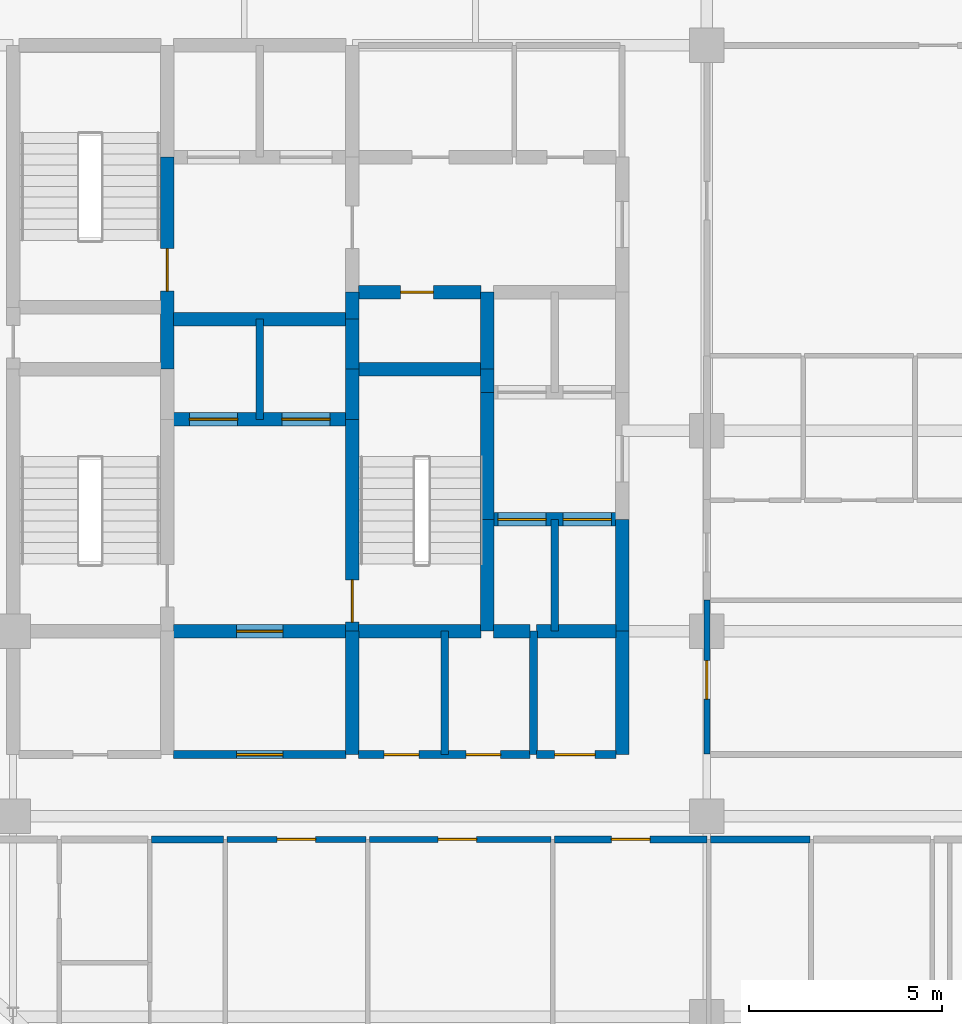
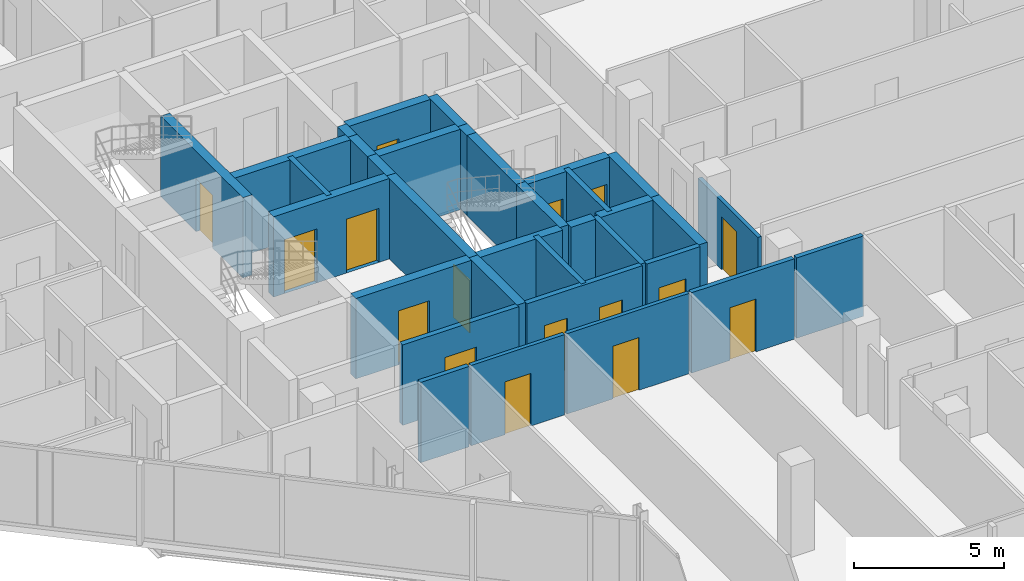
# One storey, part 26 of 31: 34 walls, 16 doors, 16 openings.
"""IFC4 building model written with IfcOpenShell, lengths in metres."""

from ifc_helpers import new_model, si_unit, direction, frame, frame_2d, origin, place, context, subcontext, project, spatial, rectangle, extrude, material, layer, layer_set, type_object, element, fill, save


model = new_model("IFC4")

# Units and contexts
model_context = context("Model", 3, precision=1e-05, world=origin(), true_north=direction((0.0, 1.0)))
body_context = subcontext(model_context, "Body", "Model", "MODEL_VIEW")
ifc_project = project(units=[si_unit("LENGTHUNIT", "METRE"), si_unit("AREAUNIT", "SQUARE_METRE"), si_unit("VOLUMEUNIT", "CUBIC_METRE"), si_unit("PLANEANGLEUNIT", "RADIAN"), si_unit("MASSUNIT", "GRAM", prefix="KILO")], contexts=[model_context])

# Site, building, storey
site_placement = place(None, origin())
site = spatial("IfcSite", under=ifc_project, at=site_placement, CompositionType="ELEMENT")
building_placement = place(site_placement, origin())
building = spatial("IfcBuilding", under=site, at=building_placement, Name="Keshet Zoharim Tower", CompositionType="ELEMENT")
storey_placement = place(building_placement, frame((0.0, 0.0, 155.699951171875)))
storey = spatial("IfcBuildingStorey", under=building, at=storey_placement, Name="L38", CompositionType="ELEMENT", Elevation=155.699951171875)

# Wall, opening, door
ifc_material_1 = material(Name="Gypsum Plasterboard", Category="gypsum")
ifc_layer_1 = layer(ifc_material_1, 0.14990234375)
ifc_layer_set_1 = layer_set([ifc_layer_1], Name="Gypsum Plasterboard")
wall_type_1 = type_object("IfcWallType", Name="WL-CLIN-150", PredefinedType="STANDARD", material=ifc_layer_set_1)
wall_1_placement = place(storey_placement, frame((33.0, 19.510009765625, 0.0), z_axis=(0.0, 0.0, 1.0), x_axis=(0.0, 1.0, 0.0)))
wall_1 = element("IfcWall", 1, at=wall_1_placement, inside=storey, type_object=wall_type_1, Name="L38 Interior Wall 064", PredefinedType="STANDARD", context=body_context, shape_type="SweptSolid", body=[
    extrude(rectangle(XDim=4.0, YDim=0.14990234375, at=frame_2d((2.0, 0.0))), origin(), (0.0, 0.0, 1.0), 2.780029296875),
])
opening_1_placement = place(wall_1_placement, frame((1.427001953125, 0.0, 0.0)))
opening_1 = element("IfcOpeningElement", 2, at=opening_1_placement, cuts=wall_1, Name="Opening D-F310", PredefinedType="OPENING", context=body_context, shape_type="SweptSolid", body=[
    extrude(rectangle(XDim=1.0, YDim=2.14990234375, at=frame_2d((0.5, 1.074951171875))), frame((0.0, 0.0849609375, 0.0), z_axis=(0.0, -1.0, 0.0), x_axis=(1.0, 0.0, 0.0)), (0.0, 0.0, 1.0), 0.169921875),
])
ifc_material_2 = material(Name="Hardwood Timber", Category="wood")
door_type_1 = type_object("IfcDoorType", Name="DR-FD30-100", OperationType="NOTDEFINED", PredefinedType="DOOR", material=ifc_material_2)
door_1_placement = place(opening_1_placement, origin())
door_1 = element("IfcDoor", 3, at=door_1_placement, inside=storey, type_object=door_type_1, Name="L38 South East Residents Services Suite Door 2", OperationType="SINGLE_SWING_LEFT", OverallHeight=2.14990234375, OverallWidth=1.0, PredefinedType="DOOR", context=body_context, shape_type="SweptSolid", body=[
    extrude(rectangle(XDim=1.0, YDim=2.14990234375, at=frame_2d((0.5, 1.074951171875))), frame((0.0, 0.02490234375, 0.0), z_axis=(0.0, -1.0, 0.0), x_axis=(1.0, 0.0, 0.0)), (0.0, 0.0, 1.0), 0.050048828125),
])
fill(opening_1, door_1)

wall_2_placement = place(storey_placement, frame((20.544921875, 17.300048828125, 0.0), z_axis=(0.0, 0.0, 1.0), x_axis=(1.0, 0.0, 0.0)))
wall_2 = element("IfcWall", 4, at=wall_2_placement, inside=storey, type_object=wall_type_1, Name="L38 Interior Wall 126", PredefinedType="STANDARD", context=body_context, shape_type="SweptSolid", body=[
    extrude(rectangle(XDim=3.610107421875, YDim=0.14990234375, at=frame_2d((1.80517578125, 0.0))), origin(), (0.0, 0.0, 1.0), 3.280029296875),
])
opening_2_placement = place(wall_2_placement, frame((1.304931640625, 0.0, 0.0)))
opening_2 = element("IfcOpeningElement", 5, at=opening_2_placement, cuts=wall_2, Name="Opening D-F310", PredefinedType="OPENING", context=body_context, shape_type="SweptSolid", body=[
    extrude(rectangle(XDim=1.0, YDim=2.14990234375, at=frame_2d((0.5, 1.074951171875))), frame((0.0, 0.0849609375, 0.0), z_axis=(0.0, -1.0, 0.0), x_axis=(1.0, 0.0, 0.0)), (0.0, 0.0, 1.0), 0.169921875),
])
door_2_placement = place(opening_2_placement, origin())
door_2 = element("IfcDoor", 6, at=door_2_placement, inside=storey, type_object=door_type_1, Name="L38 Quiet Telework Office Door", OperationType="SINGLE_SWING_RIGHT", OverallHeight=2.14990234375, OverallWidth=1.0, PredefinedType="DOOR", context=body_context, shape_type="SweptSolid", body=[
    extrude(rectangle(XDim=1.0, YDim=2.14990234375, at=frame_2d((0.5, 1.074951171875))), frame((0.0, 0.02490234375, 0.0), z_axis=(0.0, -1.0, 0.0), x_axis=(1.0, 0.0, 0.0)), (0.0, 0.0, 1.0), 0.050048828125),
])
fill(opening_2, door_2)

wall_3_placement = place(storey_placement, frame((24.2451171875, 17.300048828125, 0.0), z_axis=(0.0, 0.0, 1.0), x_axis=(1.0, 0.0, 0.0)))
wall_3 = element("IfcWall", 7, at=wall_3_placement, inside=storey, type_object=wall_type_1, Name="L38 Interior Wall 127", PredefinedType="STANDARD", context=body_context, shape_type="SweptSolid", body=[
    extrude(rectangle(XDim=4.7099609375, YDim=0.14990234375, at=frame_2d((2.35498046875, 0.0))), origin(), (0.0, 0.0, 1.0), 3.280029296875),
])
opening_3_placement = place(wall_3_placement, frame((1.781982421875, 0.0, 0.0)))
opening_3 = element("IfcOpeningElement", 8, at=opening_3_placement, cuts=wall_3, Name="Opening D-F310", PredefinedType="OPENING", context=body_context, shape_type="SweptSolid", body=[
    extrude(rectangle(XDim=1.0, YDim=2.14990234375, at=frame_2d((0.5, 1.074951171875))), frame((0.0, 0.0849609375, 0.0), z_axis=(0.0, -1.0, 0.0), x_axis=(1.0, 0.0, 0.0)), (0.0, 0.0, 1.0), 0.169921875),
])
door_3_placement = place(opening_3_placement, origin())
door_3 = element("IfcDoor", 9, at=door_3_placement, inside=storey, type_object=door_type_1, Name="L38 Residents Game Lounge Door", OperationType="SINGLE_SWING_LEFT", OverallHeight=2.14990234375, OverallWidth=1.0, PredefinedType="DOOR", context=body_context, shape_type="SweptSolid", body=[
    extrude(rectangle(XDim=1.0, YDim=2.14990234375, at=frame_2d((0.5, 1.074951171875))), frame((0.0, 0.02490234375, 0.0), z_axis=(0.0, -1.0, 0.0), x_axis=(1.0, 0.0, 0.0)), (0.0, 0.0, 1.0), 0.050048828125),
])
fill(opening_3, door_3)

ifc_material_3 = material(Name="Concrete C60/75", Category="concrete")
ifc_layer_2 = layer(ifc_material_3, 0.35009765625)
ifc_layer_set_2 = layer_set([ifc_layer_2], Name="Concrete C60/75")
wall_type_2 = type_object("IfcWallType", Name="WL-CORE-350", PredefinedType="SHEAR", material=ifc_layer_set_2)
wall_4_placement = place(storey_placement, frame((19.0, 29.5, 0.0), z_axis=(0.0, 0.0, 1.0), x_axis=(0.0, 1.0, 0.0)))
wall_4 = element("IfcWall", 10, at=wall_4_placement, inside=storey, type_object=wall_type_2, Name="L38 Core Shear Wall 026", PredefinedType="SHEAR", context=body_context, shape_type="SweptSolid", body=[
    extrude(rectangle(XDim=5.5, YDim=0.35009765625, at=frame_2d((2.75, 0.0))), origin(), (0.0, 0.0, 1.0), 3.280029296875),
])
opening_4_placement = place(wall_4_placement, frame((2.02490234375, 0.0, 0.0)))
opening_4 = element("IfcOpeningElement", 11, at=opening_4_placement, cuts=wall_4, Name="Opening D-F611", PredefinedType="OPENING", context=body_context, shape_type="SweptSolid", body=[
    extrude(rectangle(XDim=1.10009765625, YDim=2.14990234375, at=frame_2d((0.550048828125, 1.074951171875))), frame((0.0, 0.18505859375, 0.0), z_axis=(0.0, -1.0, 0.0), x_axis=(1.0, 0.0, 0.0)), (0.0, 0.0, 1.0), 0.3701171875),
])
door_type_2 = type_object("IfcDoorType", Name="DR-FD60-110", OperationType="NOTDEFINED", PredefinedType="DOOR", material=ifc_material_2)
door_4_placement = place(opening_4_placement, origin())
door_4 = element("IfcDoor", 12, at=door_4_placement, inside=storey, type_object=door_type_2, Name="L38 Exit Stair ST-02 Fire Door", OperationType="SINGLE_SWING_LEFT", OverallHeight=2.14990234375, OverallWidth=1.10009765625, PredefinedType="DOOR", context=body_context, shape_type="SweptSolid", body=[
    extrude(rectangle(XDim=1.10009765625, YDim=2.14990234375, at=frame_2d((0.550048828125, 1.074951171875))), frame((0.0, 0.02490234375, 0.0), z_axis=(0.0, -1.0, 0.0), x_axis=(1.0, 0.0, 0.0)), (0.0, 0.0, 1.0), 0.050048828125),
])
fill(opening_4, door_4)

# Wall
wall_5_placement = place(storey_placement, frame((23.800048828125, 19.5, 0.0), z_axis=(0.0, 0.0, 1.0), x_axis=(0.0, 1.0, 0.0)))
element("IfcWall", 13, at=wall_5_placement, inside=storey, type_object=wall_type_2, Name="L38 Core Shear Wall 033", PredefinedType="SHEAR", context=body_context, shape_type="SweptSolid", body=[
    extrude(rectangle(XDim=3.199951171875, YDim=0.35009765625, at=frame_2d((1.60009765625, 0.0))), origin(), (0.0, 0.0, 1.0), 3.280029296875),
])

# Wall, opening, door
wall_6_placement = place(storey_placement, frame((23.800048828125, 22.699951171875, 0.0), z_axis=(0.0, 0.0, 1.0), x_axis=(0.0, 1.0, 0.0)))
wall_6 = element("IfcWall", 14, at=wall_6_placement, inside=storey, type_object=wall_type_2, Name="L38 Core Shear Wall 034", PredefinedType="SHEAR", context=body_context, shape_type="SweptSolid", body=[
    extrude(rectangle(XDim=5.5, YDim=0.35009765625, at=frame_2d((2.75, 0.0))), origin(), (0.0, 0.0, 1.0), 3.280029296875),
])
opening_5_placement = place(wall_6_placement, frame((0.235107421875, 0.0, 0.0)))
opening_5 = element("IfcOpeningElement", 15, at=opening_5_placement, cuts=wall_6, Name="Opening D-F611", PredefinedType="OPENING", context=body_context, shape_type="SweptSolid", body=[
    extrude(rectangle(XDim=1.10009765625, YDim=2.14990234375, at=frame_2d((0.550048828125, 1.074951171875))), frame((0.0, 0.18505859375, 0.0), z_axis=(0.0, -1.0, 0.0), x_axis=(1.0, 0.0, 0.0)), (0.0, 0.0, 1.0), 0.3701171875),
])
door_5_placement = place(opening_5_placement, frame((1.10009765625, 0.0, 0.0), z_axis=(0.0, 0.0, 1.0), x_axis=(-1.0, 0.0, 0.0)))
door_5 = element("IfcDoor", 16, at=door_5_placement, inside=storey, type_object=door_type_2, Name="L38 Exit Stair ST-03 Fire Door", OperationType="SINGLE_SWING_LEFT", OverallHeight=2.14990234375, OverallWidth=1.10009765625, PredefinedType="DOOR", context=body_context, shape_type="SweptSolid", body=[
    extrude(rectangle(XDim=1.10009765625, YDim=2.14990234375, at=frame_2d((0.550048828125, 1.074951171875))), frame((0.0, 0.02490234375, 0.0), z_axis=(0.0, -1.0, 0.0), x_axis=(1.0, 0.0, 0.0)), (0.0, 0.0, 1.0), 0.050048828125),
])
fill(opening_5, door_5)

# Walls
for number, where, z_axis, x_axis, name in (
    (17, (23.800048828125, 28.199951171875, 0.0), (0.0, 0.0, 1.0), (0.0, 1.0, 0.0), "L38 Core Shear Wall 035"),
    (18, (23.800048828125, 29.5, 0.0), (0.0, 0.0, 1.0), (0.0, 1.0, 0.0), "L38 Core Shear Wall 036"),
):
    element("IfcWall", number, at=place(storey_placement, frame(where, z_axis=z_axis, x_axis=x_axis)), inside=storey, type_object=wall_type_2, Name=name, PredefinedType="SHEAR", context=body_context, shape_type="SweptSolid", body=[
        extrude(rectangle(XDim=1.300048828125, YDim=0.35009765625, at=frame_2d((0.64990234375, 0.0))), origin(), (0.0, 0.0, 1.0), 3.280029296875),
    ])
wall_7_placement = place(storey_placement, frame((23.800048828125, 30.800048828125, 0.0), z_axis=(0.0, 0.0, 1.0), x_axis=(0.0, 1.0, 0.0)))
element("IfcWall", 19, at=wall_7_placement, inside=storey, type_object=wall_type_2, Name="L38 Core Shear Wall 037", PredefinedType="SHEAR", context=body_context, shape_type="SweptSolid", body=[
    extrude(rectangle(XDim=0.699951171875, YDim=0.35009765625, at=frame_2d((0.35009765625, 0.0))), origin(), (0.0, 0.0, 1.0), 3.280029296875),
])
wall_8_placement = place(storey_placement, frame((27.300048828125, 22.699951171875, 0.0), z_axis=(0.0, 0.0, 1.0), x_axis=(0.0, 1.0, 0.0)))
element("IfcWall", 20, at=wall_8_placement, inside=storey, type_object=wall_type_2, Name="L38 Core Shear Wall 043", PredefinedType="SHEAR", context=body_context, shape_type="SweptSolid", body=[
    extrude(rectangle(XDim=2.900146484375, YDim=0.35009765625, at=frame_2d((1.4501953125, 0.0))), origin(), (0.0, 0.0, 1.0), 3.280029296875),
])
wall_9_placement = place(storey_placement, frame((27.300048828125, 25.60009765625, 0.0), z_axis=(0.0, 0.0, 1.0), x_axis=(0.0, 1.0, 0.0)))
element("IfcWall", 21, at=wall_9_placement, inside=storey, type_object=wall_type_2, Name="L38 Core Shear Wall 044", PredefinedType="SHEAR", context=body_context, shape_type="SweptSolid", body=[
    extrude(rectangle(XDim=3.2998046875, YDim=0.35009765625, at=frame_2d((1.64990234375, 0.0))), origin(), (0.0, 0.0, 1.0), 3.280029296875),
])
wall_10_placement = place(storey_placement, frame((27.300048828125, 28.89990234375, 0.0), z_axis=(0.0, 0.0, 1.0), x_axis=(0.0, 1.0, 0.0)))
element("IfcWall", 22, at=wall_10_placement, inside=storey, type_object=wall_type_2, Name="L38 Core Shear Wall 045", PredefinedType="SHEAR", context=body_context, shape_type="SweptSolid", body=[
    extrude(rectangle(XDim=0.60009765625, YDim=0.35009765625, at=frame_2d((0.300048828125, 0.0))), origin(), (0.0, 0.0, 1.0), 3.280029296875),
])
wall_11_placement = place(storey_placement, frame((27.300048828125, 29.5, 0.0), z_axis=(0.0, 0.0, 1.0), x_axis=(0.0, 1.0, 0.0)))
element("IfcWall", 23, at=wall_11_placement, inside=storey, type_object=wall_type_2, Name="L38 Core Shear Wall 046", PredefinedType="SHEAR", context=body_context, shape_type="SweptSolid", body=[
    extrude(rectangle(XDim=2.0, YDim=0.35009765625, at=frame_2d((1.0, 0.0))), origin(), (0.0, 0.0, 1.0), 3.280029296875),
])
wall_12_placement = place(storey_placement, frame((30.800048828125, 19.5, 0.0), z_axis=(0.0, 0.0, 1.0), x_axis=(0.0, 1.0, 0.0)))
element("IfcWall", 24, at=wall_12_placement, inside=storey, type_object=wall_type_2, Name="L38 Core Shear Wall 055", PredefinedType="SHEAR", context=body_context, shape_type="SweptSolid", body=[
    extrude(rectangle(XDim=3.199951171875, YDim=0.35009765625, at=frame_2d((1.60009765625, 0.0))), origin(), (0.0, 0.0, 1.0), 3.280029296875),
])
wall_13_placement = place(storey_placement, frame((30.800048828125, 22.699951171875, 0.0), z_axis=(0.0, 0.0, 1.0), x_axis=(0.0, 1.0, 0.0)))
element("IfcWall", 25, at=wall_13_placement, inside=storey, type_object=wall_type_2, Name="L38 Core Shear Wall 056", PredefinedType="SHEAR", context=body_context, shape_type="SweptSolid", body=[
    extrude(rectangle(XDim=2.900146484375, YDim=0.35009765625, at=frame_2d((1.4501953125, 0.0))), origin(), (0.0, 0.0, 1.0), 3.280029296875),
])

# Wall, opening, door
wall_14_placement = place(storey_placement, frame((19.159912109375, 22.699951171875, 0.0), z_axis=(0.0, 0.0, 1.0), x_axis=(1.0, 0.0, 0.0)))
wall_14 = element("IfcWall", 26, at=wall_14_placement, inside=storey, type_object=wall_type_2, Name="L38 Core Shear Wall 145", PredefinedType="SHEAR", context=body_context, shape_type="SweptSolid", body=[
    extrude(rectangle(XDim=4.47998046875, YDim=0.35009765625, at=frame_2d((2.239990234375, 0.0))), origin(), (0.0, 0.0, 1.0), 3.280029296875),
])
opening_6_placement = place(wall_14_placement, frame((1.639892578125, 0.0, 0.0)))
opening_6 = element("IfcOpeningElement", 27, at=opening_6_placement, cuts=wall_14, Name="Opening D-F612", PredefinedType="OPENING", context=body_context, shape_type="SweptSolid", body=[
    extrude(rectangle(XDim=1.199951171875, YDim=2.199951171875, at=frame_2d((0.60009765625, 1.10009765625))), frame((0.0, 0.18505859375, 0.0), z_axis=(0.0, -1.0, 0.0), x_axis=(1.0, 0.0, 0.0)), (0.0, 0.0, 1.0), 0.3701171875),
])
door_type_3 = type_object("IfcDoorType", Name="DR-FD60-120", OperationType="NOTDEFINED", PredefinedType="DOOR", material=ifc_material_2)
door_6_placement = place(opening_6_placement, origin())
door_6 = element("IfcDoor", 28, at=door_6_placement, inside=storey, type_object=door_type_3, Name="L38 South Core Lobby Fire Door", OperationType="SINGLE_SWING_LEFT", OverallHeight=2.199951171875, OverallWidth=1.199951171875, PredefinedType="DOOR", context=body_context, shape_type="SweptSolid", body=[
    extrude(rectangle(XDim=1.199951171875, YDim=2.199951171875, at=frame_2d((0.60009765625, 1.10009765625))), frame((0.0, 0.02490234375, 0.0), z_axis=(0.0, -1.0, 0.0), x_axis=(1.0, 0.0, 0.0)), (0.0, 0.0, 1.0), 0.050048828125),
])
fill(opening_6, door_6)

# Walls
wall_15_placement = place(storey_placement, frame((23.9599609375, 22.699951171875, 0.0), z_axis=(0.0, 0.0, 1.0), x_axis=(1.0, 0.0, 0.0)))
element("IfcWall", 29, at=wall_15_placement, inside=storey, type_object=wall_type_2, Name="L38 Core Shear Wall 146", PredefinedType="SHEAR", context=body_context, shape_type="SweptSolid", body=[
    extrude(rectangle(XDim=3.179931640625, YDim=0.35009765625, at=frame_2d((1.58984375, 0.0))), origin(), (0.0, 0.0, 1.0), 3.280029296875),
])
wall_16_placement = place(storey_placement, frame((27.4599609375, 22.699951171875, 0.0), z_axis=(0.0, 0.0, 1.0), x_axis=(1.0, 0.0, 0.0)))
element("IfcWall", 30, at=wall_16_placement, inside=storey, type_object=wall_type_2, Name="L38 Core Shear Wall 147", PredefinedType="SHEAR", context=body_context, shape_type="SweptSolid", body=[
    extrude(rectangle(XDim=0.955078125, YDim=0.35009765625, at=frame_2d((0.4775390625, 0.0))), origin(), (0.0, 0.0, 1.0), 3.280029296875),
])
wall_17_placement = place(storey_placement, frame((28.5849609375, 22.699951171875, 0.0), z_axis=(0.0, 0.0, 1.0), x_axis=(1.0, 0.0, 0.0)))
element("IfcWall", 31, at=wall_17_placement, inside=storey, type_object=wall_type_2, Name="L38 Core Shear Wall 148", PredefinedType="SHEAR", context=body_context, shape_type="SweptSolid", body=[
    extrude(rectangle(XDim=2.054931640625, YDim=0.35009765625, at=frame_2d((1.02734375, 0.0))), origin(), (0.0, 0.0, 1.0), 3.280029296875),
])

# Wall, openings, doors
wall_18_placement = place(storey_placement, frame((27.4599609375, 25.60009765625, 0.0), z_axis=(0.0, 0.0, 1.0), x_axis=(1.0, 0.0, 0.0)))
wall_18 = element("IfcWall", 32, at=wall_18_placement, inside=storey, type_object=wall_type_2, Name="L38 Core Shear Wall 152", PredefinedType="SHEAR", context=body_context, shape_type="SweptSolid", body=[
    extrude(rectangle(XDim=3.179931640625, YDim=0.35009765625, at=frame_2d((1.58984375, 0.0))), origin(), (0.0, 0.0, 1.0), 3.280029296875),
])
opening_7_placement = place(wall_18_placement, frame((0.1201171875, 0.0, 0.0)))
opening_7 = element("IfcOpeningElement", 33, at=opening_7_placement, cuts=wall_18, Name="Opening LD-01", PredefinedType="OPENING", context=body_context, shape_type="SweptSolid", body=[
    extrude(rectangle(XDim=1.25, YDim=2.199951171875, at=frame_2d((0.625, 1.10009765625))), frame((0.0, 0.18505859375, 0.0), z_axis=(0.0, -1.0, 0.0), x_axis=(1.0, 0.0, 0.0)), (0.0, 0.0, 1.0), 0.3701171875),
])
opening_8_placement = place(wall_18_placement, frame((1.81005859375, 0.0, 0.0)))
opening_8 = element("IfcOpeningElement", 34, at=opening_8_placement, cuts=wall_18, Name="Opening LD-01", PredefinedType="OPENING", context=body_context, shape_type="SweptSolid", body=[
    extrude(rectangle(XDim=1.25, YDim=2.199951171875, at=frame_2d((0.625, 1.10009765625))), frame((0.0, 0.18505859375, 0.0), z_axis=(0.0, -1.0, 0.0), x_axis=(1.0, 0.0, 0.0)), (0.0, 0.0, 1.0), 0.3701171875),
])
ifc_material_4 = material(Name="Steel S355", Category="steel")
door_type_4 = type_object("IfcDoorType", Name="DR-LD01-125", OperationType="DOUBLE_DOOR_SLIDING", PredefinedType="DOOR", material=ifc_material_4)
door_7_placement = place(opening_7_placement, origin())
door_7 = element("IfcDoor", 35, at=door_7_placement, inside=storey, type_object=door_type_4, Name="L38 Passenger Lift Landing Door LF-07", OperationType="DOUBLE_DOOR_SLIDING", OverallHeight=2.199951171875, OverallWidth=1.25, PredefinedType="DOOR", context=body_context, shape_type="SweptSolid", body=[
    extrude(rectangle(XDim=1.25, YDim=2.199951171875, at=frame_2d((0.625, 1.10009765625))), frame((0.0, 0.02490234375, 0.0), z_axis=(0.0, -1.0, 0.0), x_axis=(1.0, 0.0, 0.0)), (0.0, 0.0, 1.0), 0.050048828125),
])
fill(opening_7, door_7)
door_8_placement = place(opening_8_placement, origin())
door_8 = element("IfcDoor", 36, at=door_8_placement, inside=storey, type_object=door_type_4, Name="L38 Passenger Lift Landing Door LF-08", OperationType="DOUBLE_DOOR_SLIDING", OverallHeight=2.199951171875, OverallWidth=1.25, PredefinedType="DOOR", context=body_context, shape_type="SweptSolid", body=[
    extrude(rectangle(XDim=1.25, YDim=2.199951171875, at=frame_2d((0.625, 1.10009765625))), frame((0.0, 0.02490234375, 0.0), z_axis=(0.0, -1.0, 0.0), x_axis=(1.0, 0.0, 0.0)), (0.0, 0.0, 1.0), 0.050048828125),
])
fill(opening_8, door_8)

wall_19_placement = place(storey_placement, frame((19.159912109375, 28.199951171875, 0.0), z_axis=(0.0, 0.0, 1.0), x_axis=(1.0, 0.0, 0.0)))
wall_19 = element("IfcWall", 37, at=wall_19_placement, inside=storey, type_object=wall_type_2, Name="L38 Core Shear Wall 158", PredefinedType="SHEAR", context=body_context, shape_type="SweptSolid", body=[
    extrude(rectangle(XDim=4.47998046875, YDim=0.35009765625, at=frame_2d((2.239990234375, 0.0))), origin(), (0.0, 0.0, 1.0), 3.280029296875),
])
opening_9_placement = place(wall_19_placement, frame((0.4150390625, 0.0, 0.0)))
opening_9 = element("IfcOpeningElement", 38, at=opening_9_placement, cuts=wall_19, Name="Opening LD-01", PredefinedType="OPENING", context=body_context, shape_type="SweptSolid", body=[
    extrude(rectangle(XDim=1.25, YDim=2.199951171875, at=frame_2d((0.625, 1.10009765625))), frame((0.0, 0.18505859375, 0.0), z_axis=(0.0, -1.0, 0.0), x_axis=(1.0, 0.0, 0.0)), (0.0, 0.0, 1.0), 0.3701171875),
])
opening_10_placement = place(wall_19_placement, frame((2.81494140625, 0.0, 0.0)))
opening_10 = element("IfcOpeningElement", 39, at=opening_10_placement, cuts=wall_19, Name="Opening LD-01", PredefinedType="OPENING", context=body_context, shape_type="SweptSolid", body=[
    extrude(rectangle(XDim=1.25, YDim=2.199951171875, at=frame_2d((0.625, 1.10009765625))), frame((0.0, 0.18505859375, 0.0), z_axis=(0.0, -1.0, 0.0), x_axis=(1.0, 0.0, 0.0)), (0.0, 0.0, 1.0), 0.3701171875),
])
door_9_placement = place(opening_9_placement, origin())
door_9 = element("IfcDoor", 40, at=door_9_placement, inside=storey, type_object=door_type_4, Name="L38 Passenger Lift Landing Door LF-09", OperationType="DOUBLE_DOOR_SLIDING", OverallHeight=2.199951171875, OverallWidth=1.25, PredefinedType="DOOR", context=body_context, shape_type="SweptSolid", body=[
    extrude(rectangle(XDim=1.25, YDim=2.199951171875, at=frame_2d((0.625, 1.10009765625))), frame((0.0, 0.02490234375, 0.0), z_axis=(0.0, -1.0, 0.0), x_axis=(1.0, 0.0, 0.0)), (0.0, 0.0, 1.0), 0.050048828125),
])
fill(opening_9, door_9)
door_10_placement = place(opening_10_placement, origin())
door_10 = element("IfcDoor", 41, at=door_10_placement, inside=storey, type_object=door_type_4, Name="L38 Passenger Lift Landing Door LF-10", OperationType="DOUBLE_DOOR_SLIDING", OverallHeight=2.199951171875, OverallWidth=1.25, PredefinedType="DOOR", context=body_context, shape_type="SweptSolid", body=[
    extrude(rectangle(XDim=1.25, YDim=2.199951171875, at=frame_2d((0.625, 1.10009765625))), frame((0.0, 0.02490234375, 0.0), z_axis=(0.0, -1.0, 0.0), x_axis=(1.0, 0.0, 0.0)), (0.0, 0.0, 1.0), 0.050048828125),
])
fill(opening_10, door_10)

# Walls
wall_20_placement = place(storey_placement, frame((23.9599609375, 29.5, 0.0), z_axis=(0.0, 0.0, 1.0), x_axis=(1.0, 0.0, 0.0)))
element("IfcWall", 42, at=wall_20_placement, inside=storey, type_object=wall_type_2, Name="L38 Core Shear Wall 165", PredefinedType="SHEAR", context=body_context, shape_type="SweptSolid", body=[
    extrude(rectangle(XDim=3.179931640625, YDim=0.35009765625, at=frame_2d((1.58984375, 0.0))), origin(), (0.0, 0.0, 1.0), 3.280029296875),
])
wall_21_placement = place(storey_placement, frame((19.159912109375, 30.800048828125, 0.0), z_axis=(0.0, 0.0, 1.0), x_axis=(1.0, 0.0, 0.0)))
element("IfcWall", 43, at=wall_21_placement, inside=storey, type_object=wall_type_2, Name="L38 Core Shear Wall 169", PredefinedType="SHEAR", context=body_context, shape_type="SweptSolid", body=[
    extrude(rectangle(XDim=4.47998046875, YDim=0.35009765625, at=frame_2d((2.239990234375, 0.0))), origin(), (0.0, 0.0, 1.0), 3.280029296875),
])

# Wall, opening, door
wall_22_placement = place(storey_placement, frame((23.9599609375, 31.5, 0.0), z_axis=(0.0, 0.0, 1.0), x_axis=(1.0, 0.0, 0.0)))
wall_22 = element("IfcWall", 44, at=wall_22_placement, inside=storey, type_object=wall_type_2, Name="L38 Core Shear Wall 173", PredefinedType="SHEAR", context=body_context, shape_type="SweptSolid", body=[
    extrude(rectangle(XDim=3.179931640625, YDim=0.35009765625, at=frame_2d((1.58984375, 0.0))), origin(), (0.0, 0.0, 1.0), 3.280029296875),
])
opening_11_placement = place(wall_22_placement, frame((1.093994140625, 0.0, 0.0)))
opening_11 = element("IfcOpeningElement", 45, at=opening_11_placement, cuts=wall_22, Name="Opening D-RS85", PredefinedType="OPENING", context=body_context, shape_type="SweptSolid", body=[
    extrude(rectangle(XDim=0.85009765625, YDim=2.10009765625, at=frame_2d((0.425048828125, 1.050048828125))), frame((0.0, 0.18505859375, 0.0), z_axis=(0.0, -1.0, 0.0), x_axis=(1.0, 0.0, 0.0)), (0.0, 0.0, 1.0), 0.3701171875),
])
door_type_5 = type_object("IfcDoorType", Name="DR-RIS-085", OperationType="NOTDEFINED", PredefinedType="DOOR", material=ifc_material_2)
door_11_placement = place(opening_11_placement, origin())
door_11 = element("IfcDoor", 46, at=door_11_placement, inside=storey, type_object=door_type_5, Name="L38 Telecom Riser Access Cupboard Door", OperationType="SINGLE_SWING_LEFT", OverallHeight=2.10009765625, OverallWidth=0.85009765625, PredefinedType="DOOR", context=body_context, shape_type="SweptSolid", body=[
    extrude(rectangle(XDim=0.85009765625, YDim=2.10009765625, at=frame_2d((0.425048828125, 1.050048828125))), frame((0.0, 0.02490234375, 0.0), z_axis=(0.0, -1.0, 0.0), x_axis=(1.0, 0.0, 0.0)), (0.0, 0.0, 1.0), 0.050048828125),
])
fill(opening_11, door_11)

# Wall
ifc_layer_3 = layer(ifc_material_1, 0.179931640625)
ifc_layer_set_3 = layer_set([ifc_layer_3], Name="Gypsum Plasterboard")
wall_type_3 = type_object("IfcWallType", Name="WL-CORR-180", PredefinedType="STANDARD", material=ifc_layer_set_3)
wall_23_placement = place(storey_placement, frame((18.594970703125, 17.300048828125, 0.0), z_axis=(0.0, 0.0, 1.0), x_axis=(1.0, 0.0, 0.0)))
element("IfcWall", 47, at=wall_23_placement, inside=storey, type_object=wall_type_3, Name="L38 Interior Wall 125", PredefinedType="STANDARD", context=body_context, shape_type="SweptSolid", body=[
    extrude(rectangle(XDim=1.860107421875, YDim=0.179931640625, at=frame_2d((0.93017578125, 0.0))), origin(), (0.0, 0.0, 1.0), 3.280029296875),
])

# Wall, opening, door
wall_24_placement = place(storey_placement, frame((29.044921875, 17.300048828125, 0.0), z_axis=(0.0, 0.0, 1.0), x_axis=(1.0, 0.0, 0.0)))
wall_24 = element("IfcWall", 48, at=wall_24_placement, inside=storey, type_object=wall_type_3, Name="L38 Interior Wall 128", PredefinedType="STANDARD", context=body_context, shape_type="SweptSolid", body=[
    extrude(rectangle(XDim=3.9599609375, YDim=0.179931640625, at=frame_2d((1.97998046875, 0.0))), origin(), (0.0, 0.0, 1.0), 3.280029296875),
])
opening_12_placement = place(wall_24_placement, frame((1.47998046875, 0.0, 0.0)))
opening_12 = element("IfcOpeningElement", 49, at=opening_12_placement, cuts=wall_24, Name="Opening D-F310", PredefinedType="OPENING", context=body_context, shape_type="SweptSolid", body=[
    extrude(rectangle(XDim=1.0, YDim=2.14990234375, at=frame_2d((0.5, 1.074951171875))), frame((0.0, 0.10009765625, 0.0), z_axis=(0.0, -1.0, 0.0), x_axis=(1.0, 0.0, 0.0)), (0.0, 0.0, 1.0), 0.199951171875),
])
door_12_placement = place(opening_12_placement, origin())
door_12 = element("IfcDoor", 50, at=door_12_placement, inside=storey, type_object=door_type_1, Name="Apartment 3802 Entrance Door", OperationType="SINGLE_SWING_RIGHT", OverallHeight=2.14990234375, OverallWidth=1.0, PredefinedType="DOOR", context=body_context, shape_type="SweptSolid", body=[
    extrude(rectangle(XDim=1.0, YDim=2.14990234375, at=frame_2d((0.5, 1.074951171875))), frame((0.0, 0.02490234375, 0.0), z_axis=(0.0, -1.0, 0.0), x_axis=(1.0, 0.0, 0.0)), (0.0, 0.0, 1.0), 0.050048828125),
])
fill(opening_12, door_12)

# Walls
wall_25_placement = place(storey_placement, frame((33.094970703125, 17.300048828125, 0.0), z_axis=(0.0, 0.0, 1.0), x_axis=(1.0, 0.0, 0.0)))
element("IfcWall", 51, at=wall_25_placement, inside=storey, type_object=wall_type_3, Name="L38 Interior Wall 129", PredefinedType="STANDARD", context=body_context, shape_type="SweptSolid", body=[
    extrude(rectangle(XDim=2.578125, YDim=0.179931640625, at=frame_2d((1.2890625, 0.0))), origin(), (0.0, 0.0, 1.0), 3.280029296875),
])
ifc_material_5 = material(Name="Concrete C50/60", Category="concrete")
ifc_layer_4 = layer(ifc_material_5, 0.199951171875)
ifc_layer_set_4 = layer_set([ifc_layer_4], Name="Concrete C50/60")
wall_type_4 = type_object("IfcWallType", Name="WL-FIRE-200", PredefinedType="STANDARD", material=ifc_layer_set_4)
wall_26_placement = place(storey_placement, frame((21.39990234375, 28.199951171875, 0.0), z_axis=(0.0, 0.0, 1.0), x_axis=(0.0, 1.0, 0.0)))
element("IfcWall", 52, at=wall_26_placement, inside=storey, type_object=wall_type_4, Name="L38 Interior Wall 029", PredefinedType="STANDARD", context=body_context, shape_type="SweptSolid", body=[
    extrude(rectangle(XDim=2.60009765625, YDim=0.199951171875, at=frame_2d((1.300048828125, 0.0))), origin(), (0.0, 0.0, 1.0), 3.280029296875),
])
for number, where, z_axis, x_axis, name in (
    (53, (26.199951171875, 19.5, 0.0), (0.0, 0.0, 1.0), (0.0, 1.0, 0.0), "L38 Interior Wall 042"),
    (54, (28.5, 19.5, 0.0), (0.0, 0.0, 1.0), (0.0, 1.0, 0.0), "L38 Interior Wall 051"),
):
    element("IfcWall", number, at=place(storey_placement, frame(where, z_axis=z_axis, x_axis=x_axis)), inside=storey, type_object=wall_type_4, Name=name, PredefinedType="STANDARD", context=body_context, shape_type="SweptSolid", body=[
        extrude(rectangle(XDim=3.199951171875, YDim=0.199951171875, at=frame_2d((1.60009765625, 0.0))), origin(), (0.0, 0.0, 1.0), 3.280029296875),
    ])
wall_27_placement = place(storey_placement, frame((29.050048828125, 22.699951171875, 0.0), z_axis=(0.0, 0.0, 1.0), x_axis=(0.0, 1.0, 0.0)))
element("IfcWall", 55, at=wall_27_placement, inside=storey, type_object=wall_type_4, Name="L38 Interior Wall 053", PredefinedType="STANDARD", context=body_context, shape_type="SweptSolid", body=[
    extrude(rectangle(XDim=2.900146484375, YDim=0.199951171875, at=frame_2d((1.4501953125, 0.0))), origin(), (0.0, 0.0, 1.0), 3.280029296875),
])

# Wall, opening, door
wall_28_placement = place(storey_placement, frame((19.159912109375, 19.5, 0.0), z_axis=(0.0, 0.0, 1.0), x_axis=(1.0, 0.0, 0.0)))
wall_28 = element("IfcWall", 56, at=wall_28_placement, inside=storey, type_object=wall_type_4, Name="L38 Interior Wall 137", PredefinedType="STANDARD", context=body_context, shape_type="SweptSolid", body=[
    extrude(rectangle(XDim=4.47998046875, YDim=0.199951171875, at=frame_2d((2.239990234375, 0.0))), origin(), (0.0, 0.0, 1.0), 3.280029296875),
])
opening_13_placement = place(wall_28_placement, frame((1.639892578125, 0.0, 0.0)))
opening_13 = element("IfcOpeningElement", 57, at=opening_13_placement, cuts=wall_28, Name="Opening D-F612", PredefinedType="OPENING", context=body_context, shape_type="SweptSolid", body=[
    extrude(rectangle(XDim=1.199951171875, YDim=2.199951171875, at=frame_2d((0.60009765625, 1.10009765625))), frame((0.0, 0.10986328125, 0.0), z_axis=(0.0, -1.0, 0.0), x_axis=(1.0, 0.0, 0.0)), (0.0, 0.0, 1.0), 0.219970703125),
])
door_13_placement = place(opening_13_placement, origin())
door_13 = element("IfcDoor", 58, at=door_13_placement, inside=storey, type_object=door_type_3, Name="L38 South Vestibule Corridor Door", OperationType="SINGLE_SWING_RIGHT", OverallHeight=2.199951171875, OverallWidth=1.199951171875, PredefinedType="DOOR", context=body_context, shape_type="SweptSolid", body=[
    extrude(rectangle(XDim=1.199951171875, YDim=2.199951171875, at=frame_2d((0.60009765625, 1.10009765625))), frame((0.0, 0.02490234375, 0.0), z_axis=(0.0, -1.0, 0.0), x_axis=(1.0, 0.0, 0.0)), (0.0, 0.0, 1.0), 0.050048828125),
])
fill(opening_13, door_13)

# Wall, openings, doors
wall_29_placement = place(storey_placement, frame((23.9599609375, 19.5, 0.0), z_axis=(0.0, 0.0, 1.0), x_axis=(1.0, 0.0, 0.0)))
wall_29 = element("IfcWall", 59, at=wall_29_placement, inside=storey, type_object=wall_type_4, Name="L38 Interior Wall 138", PredefinedType="STANDARD", context=body_context, shape_type="SweptSolid", body=[
    extrude(rectangle(XDim=4.455078125, YDim=0.199951171875, at=frame_2d((2.2275390625, 0.0))), origin(), (0.0, 0.0, 1.0), 3.280029296875),
])
opening_14_placement = place(wall_29_placement, frame((0.6650390625, 0.0, 0.0)))
opening_14 = element("IfcOpeningElement", 60, at=opening_14_placement, cuts=wall_29, Name="Opening D-F690", PredefinedType="OPENING", context=body_context, shape_type="SweptSolid", body=[
    extrude(rectangle(XDim=0.89990234375, YDim=2.14990234375, at=frame_2d((0.449951171875, 1.074951171875))), frame((0.0, 0.10986328125, 0.0), z_axis=(0.0, -1.0, 0.0), x_axis=(1.0, 0.0, 0.0)), (0.0, 0.0, 1.0), 0.219970703125),
])
opening_15_placement = place(wall_29_placement, frame((2.791015625, 0.0, 0.0)))
opening_15 = element("IfcOpeningElement", 61, at=opening_15_placement, cuts=wall_29, Name="Opening D-F690", PredefinedType="OPENING", context=body_context, shape_type="SweptSolid", body=[
    extrude(rectangle(XDim=0.89990234375, YDim=2.14990234375, at=frame_2d((0.449951171875, 1.074951171875))), frame((0.0, 0.10986328125, 0.0), z_axis=(0.0, -1.0, 0.0), x_axis=(1.0, 0.0, 0.0)), (0.0, 0.0, 1.0), 0.219970703125),
])
door_type_6 = type_object("IfcDoorType", Name="DR-FD60-090", OperationType="NOTDEFINED", PredefinedType="DOOR", material=ifc_material_2)
door_14_placement = place(opening_14_placement, origin())
door_14 = element("IfcDoor", 62, at=door_14_placement, inside=storey, type_object=door_type_6, Name="L38 Switchgear Room Door", OperationType="SINGLE_SWING_LEFT", OverallHeight=2.14990234375, OverallWidth=0.89990234375, PredefinedType="DOOR", context=body_context, shape_type="SweptSolid", body=[
    extrude(rectangle(XDim=0.89990234375, YDim=2.14990234375, at=frame_2d((0.449951171875, 1.074951171875))), frame((0.0, 0.02490234375, 0.0), z_axis=(0.0, -1.0, 0.0), x_axis=(1.0, 0.0, 0.0)), (0.0, 0.0, 1.0), 0.050048828125),
])
fill(opening_14, door_14)
door_15_placement = place(opening_15_placement, origin())
door_15 = element("IfcDoor", 63, at=door_15_placement, inside=storey, type_object=door_type_6, Name="L38 Telecom Room Door", OperationType="SINGLE_SWING_RIGHT", OverallHeight=2.14990234375, OverallWidth=0.89990234375, PredefinedType="DOOR", context=body_context, shape_type="SweptSolid", body=[
    extrude(rectangle(XDim=0.89990234375, YDim=2.14990234375, at=frame_2d((0.449951171875, 1.074951171875))), frame((0.0, 0.02490234375, 0.0), z_axis=(0.0, -1.0, 0.0), x_axis=(1.0, 0.0, 0.0)), (0.0, 0.0, 1.0), 0.050048828125),
])
fill(opening_15, door_15)

# Wall, opening, door
wall_30_placement = place(storey_placement, frame((28.5849609375, 19.5, 0.0), z_axis=(0.0, 0.0, 1.0), x_axis=(1.0, 0.0, 0.0)))
wall_30 = element("IfcWall", 64, at=wall_30_placement, inside=storey, type_object=wall_type_4, Name="L38 Interior Wall 139", PredefinedType="STANDARD", context=body_context, shape_type="SweptSolid", body=[
    extrude(rectangle(XDim=2.054931640625, YDim=0.199951171875, at=frame_2d((1.02734375, 0.0))), origin(), (0.0, 0.0, 1.0), 3.280029296875),
])
opening_16_placement = place(wall_30_placement, frame((0.466064453125, 0.0, 0.0)))
opening_16 = element("IfcOpeningElement", 65, at=opening_16_placement, cuts=wall_30, Name="Opening D-AC10", PredefinedType="OPENING", context=body_context, shape_type="SweptSolid", body=[
    extrude(rectangle(XDim=1.050048828125, YDim=2.14990234375, at=frame_2d((0.52490234375, 1.074951171875))), frame((0.0, 0.10986328125, 0.0), z_axis=(0.0, -1.0, 0.0), x_axis=(1.0, 0.0, 0.0)), (0.0, 0.0, 1.0), 0.219970703125),
])
door_type_7 = type_object("IfcDoorType", Name="DR-ACC-105", OperationType="NOTDEFINED", PredefinedType="DOOR", material=ifc_material_2)
door_16_placement = place(opening_16_placement, origin())
door_16 = element("IfcDoor", 66, at=door_16_placement, inside=storey, type_object=door_type_7, Name="L38 Accessible WC Door", OperationType="SINGLE_SWING_LEFT", OverallHeight=2.14990234375, OverallWidth=1.050048828125, PredefinedType="DOOR", context=body_context, shape_type="SweptSolid", body=[
    extrude(rectangle(XDim=1.050048828125, YDim=2.14990234375, at=frame_2d((0.52490234375, 1.074951171875))), frame((0.0, 0.02490234375, 0.0), z_axis=(0.0, -1.0, 0.0), x_axis=(1.0, 0.0, 0.0)), (0.0, 0.0, 1.0), 0.050048828125),
])
fill(opening_16, door_16)

save(model, "model.ifc")
